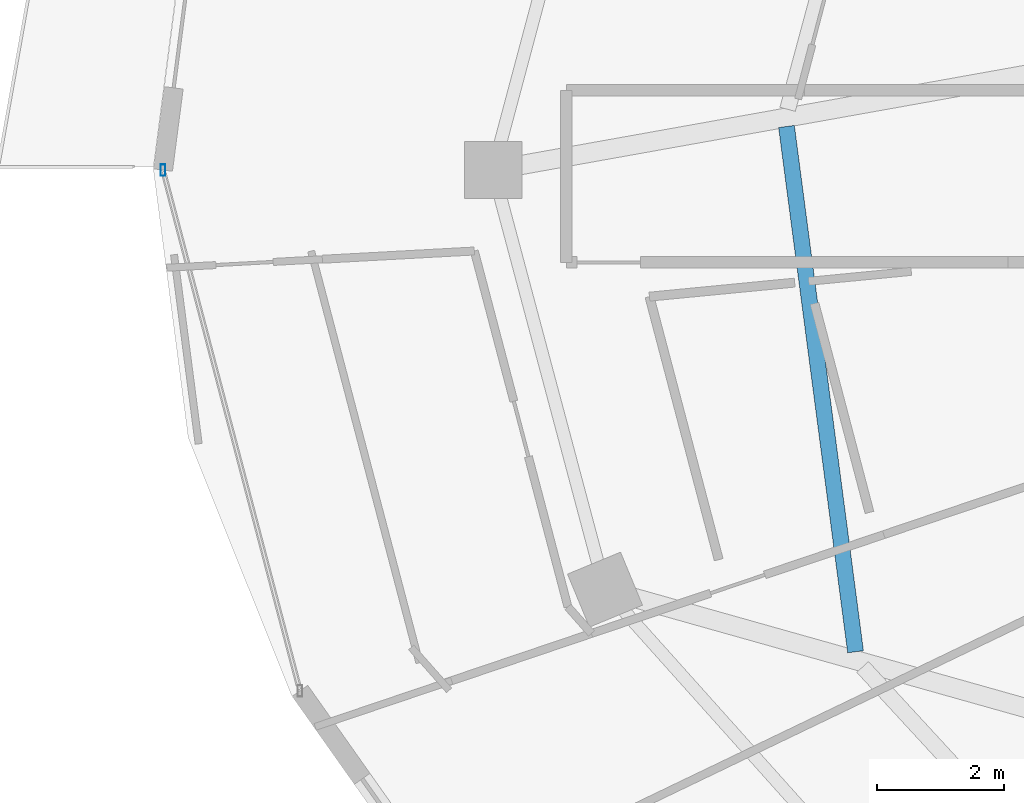
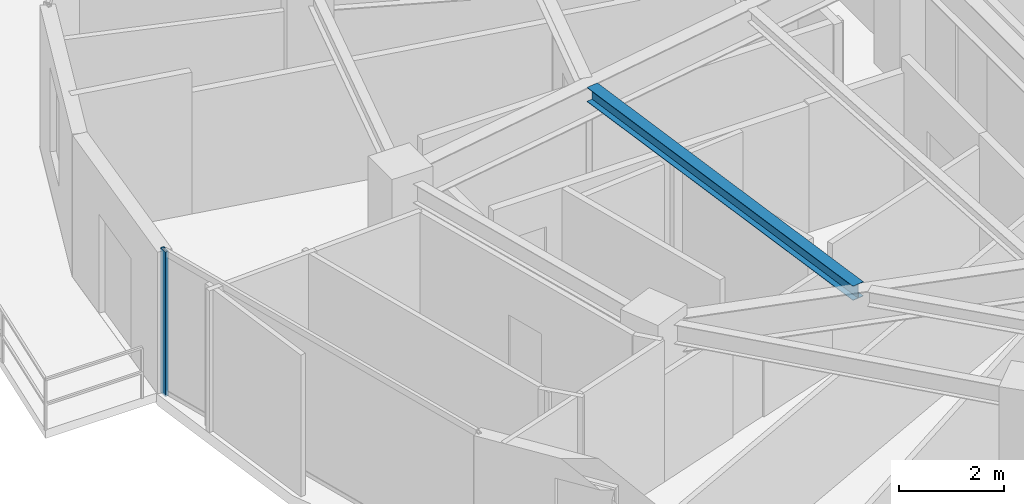
# One storey, part 7 of 34: 1 beam, 1 member, 1 element without a shape of its own.
"""IFC4 building model written with IfcOpenShell, lengths in metres."""

from ifc_helpers import new_model, si_unit, direction, frame, origin, origin_2d, place, context, subcontext, project, spatial, hollow_rectangle, i_section, extrude, material, material_profile, profile_set, type_object, element, aggregate, save


model = new_model("IFC4")

# Units and contexts
model_context = context("Model", 3, precision=1e-05, world=origin(), true_north=direction((0.0, 1.0)))
body_context = subcontext(model_context, "Body", "Model", "MODEL_VIEW")
ifc_project = project(units=[si_unit("LENGTHUNIT", "METRE"), si_unit("AREAUNIT", "SQUARE_METRE"), si_unit("VOLUMEUNIT", "CUBIC_METRE"), si_unit("PLANEANGLEUNIT", "RADIAN"), si_unit("MASSUNIT", "GRAM", prefix="KILO")], contexts=[model_context])

# Site, building, storey
site_placement = place(None, origin())
site = spatial("IfcSite", under=ifc_project, at=site_placement, CompositionType="ELEMENT")
building_placement = place(site_placement, origin())
building = spatial("IfcBuilding", under=site, at=building_placement, Name="Vorneva Point Tower", CompositionType="ELEMENT")
storey_placement = place(building_placement, frame((0.0, 0.0, 210.75)))
storey = spatial("IfcBuildingStorey", under=building, at=storey_placement, Name="L57", CompositionType="ELEMENT", Elevation=210.75)

# Beam
ifc_material_1 = material(Name="Steel S355", Category="steel")
ifc_material_profile_1 = material_profile(ifc_material_1, i_section(OverallWidth=0.2490234375, OverallDepth=0.333984375, WebThickness=0.008056640625, FlangeThickness=0.010986328125, at=origin_2d()), Name="35Sh1")
ifc_profile_set_1 = profile_set([ifc_material_profile_1], Name="Steel S355")
beam_type = type_object("IfcBeamType", Name="BM-SEC-35Sh1", PredefinedType="BEAM", material=ifc_profile_set_1)
beam_placement = place(storey_placement, frame((19.551513671875, 26.68310546875, 3.123046875), z_axis=(0.130373961087, -0.991464891093, 0.0), x_axis=(0.991464891093, 0.130373961087, 0.0)))
element("IfcBeam", 1, at=beam_placement, inside=storey, type_object=beam_type, Name="L57 Secondary Floor Beam 1.09", PredefinedType="BEAM", context=body_context, shape_type="SweptSolid", body=[
    extrude(i_section(OverallWidth=0.2490234375, OverallDepth=0.333984375, WebThickness=0.008056640625, FlangeThickness=0.010986328125, at=origin_2d()), origin(), (0.0, 0.0, 1.0), 8.310791015625),
])

# Curtain wall, member
ifc_material_2 = material(Name="Pale anodised aluminium", Category="aluminium")
curtain_wall_type = type_object("IfcCurtainWallType", Name="CW-RES-SYS", PredefinedType="NOTDEFINED", material=ifc_material_2)
curtain_wall_placement = place(storey_placement, origin())
curtain_wall = element("IfcCurtainWall", 2, at=curtain_wall_placement, inside=storey, type_object=curtain_wall_type, Name="L57 Unitised Curtain Wall CW-L57-R03", PredefinedType="NOTDEFINED")
ifc_material_profile_2 = material_profile(ifc_material_2, hollow_rectangle(XDim=0.074951171875, YDim=0.179931640625, WallThickness=0.00390625, at=origin_2d()), Name="AL-MUL 180x75x4")
ifc_profile_set_2 = profile_set([ifc_material_profile_2], Name="Pale anodised aluminium")
member_type = type_object("IfcMemberType", Name="CW-MUL-180", PredefinedType="MULLION", material=ifc_profile_set_2)
member_placement = place(storey_placement, frame((9.77001953125, 26.0, -0.0400390625), z_axis=(0.0, 0.0, 1.0), x_axis=(1.0, 0.0, 0.0)))
member = element("IfcMember", 3, at=member_placement, type_object=member_type, Name="CW-L57-R03 Mullion 01", PredefinedType="MULLION", context=body_context, shape_type="SweptSolid", body=[
    extrude(hollow_rectangle(XDim=0.074951171875, YDim=0.179931640625, WallThickness=0.00390625, at=origin_2d()), origin(), (0.0, 0.0, 1.0), 3.360107421875),
])
aggregate(curtain_wall, [member])

save(model, "model.ifc")
